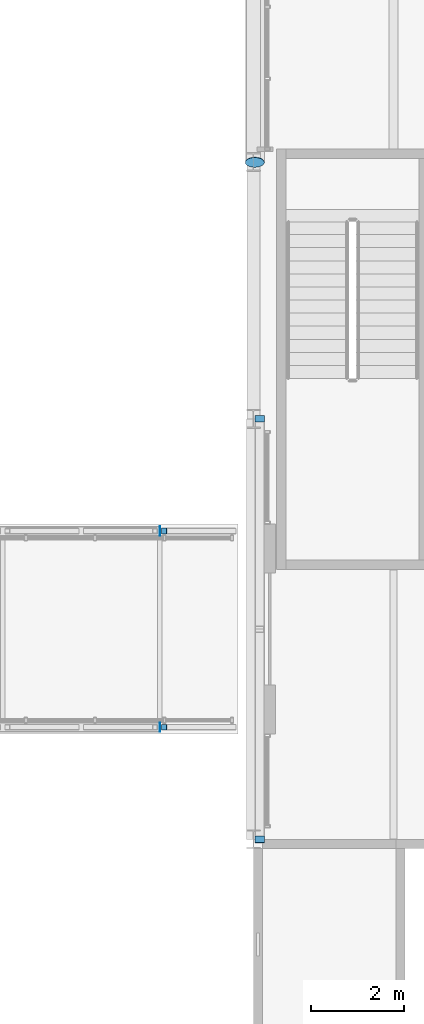
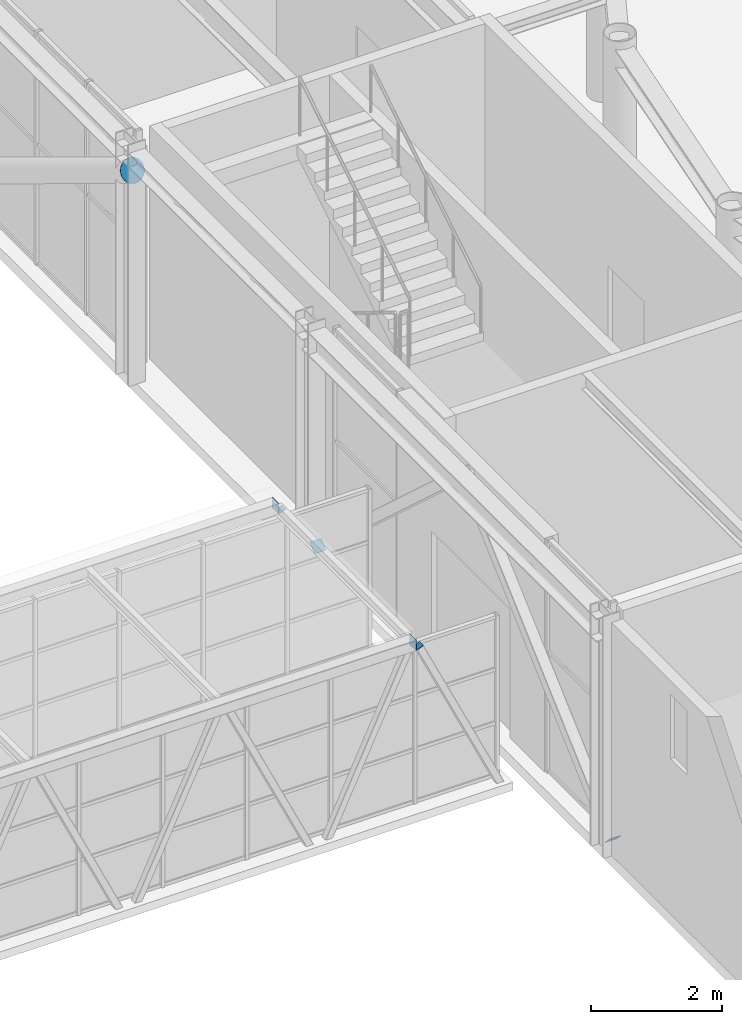
# One storey, part 117 of 149: 7 discrete accessories.
"""IFC4 building model written with IfcOpenShell, lengths in metres."""

from ifc_helpers import new_model, si_unit, direction, frame, origin, origin_2d, place, context, subcontext, project, spatial, rectangle, circle, extrude, material, material_profile, profile_set, type_object, element, save


model = new_model("IFC4")

# Units and contexts
model_context = context("Model", 3, precision=1e-05, world=origin(), true_north=direction((0.0, 1.0)))
body_context = subcontext(model_context, "Body", "Model", "MODEL_VIEW")
ifc_project = project(units=[si_unit("LENGTHUNIT", "METRE"), si_unit("AREAUNIT", "SQUARE_METRE"), si_unit("VOLUMEUNIT", "CUBIC_METRE"), si_unit("PLANEANGLEUNIT", "RADIAN"), si_unit("MASSUNIT", "GRAM", prefix="KILO")], contexts=[model_context])

# Site, building, storey
site_placement = place(None, origin())
site = spatial("IfcSite", under=ifc_project, at=site_placement, CompositionType="ELEMENT")
building_placement = place(site_placement, origin())
building = spatial("IfcBuilding", under=site, at=building_placement, Name="Kallimachos Central Library", CompositionType="ELEMENT")
storey_placement = place(building_placement, frame((0.0, 0.0, 9.89990234375)))
storey = spatial("IfcBuildingStorey", under=building, at=storey_placement, Name="L02", CompositionType="ELEMENT", Elevation=9.89990234375)

# Discrete accessories
ifc_material_1 = material(Name="Steel S355J2", Category="steel")
ifc_material_profile_1 = material_profile(ifc_material_1, rectangle(XDim=0.1201171875, YDim=0.1201171875, at=origin_2d()), Name="End cap plate 10, 120x120")
ifc_profile_set_1 = profile_set([ifc_material_profile_1], Name="Steel S355J2")
discrete_accessory_type_1 = type_object("IfcDiscreteAccessoryType", Name="End cap plate 10, 120x120", PredefinedType="BRACKET", material=ifc_profile_set_1)
for number, where, z_axis, x_axis, name in (
    (1, (63.591064453125, 98.39990234375, 3.009033203125), (0.417500171551, 0.0, -0.908676843963), (0.0, 1.0, 0.0), "End cap plate"),
    (2, (63.591064453125, 102.60009765625, 3.009033203125), (0.417500171551, 0.0, -0.908676843963), (0.0, 1.0, 0.0), "End cap plate"),
):
    element("IfcDiscreteAccessory", number, at=place(storey_placement, frame(where, z_axis=z_axis, x_axis=x_axis)), inside=storey, type_object=discrete_accessory_type_1, Name=name, PredefinedType="BRACKET", context=body_context, shape_type="SweptSolid", body=[
        extrude(rectangle(XDim=0.1201171875, YDim=0.1201171875, at=origin_2d()), origin(), (0.0, 0.0, 1.0), 0.010009765625),
    ])
ifc_material_2 = material(Name="Steel S355J2", Category="steel")
ifc_material_profile_2 = material_profile(ifc_material_2, rectangle(XDim=0.199951171875, YDim=0.199951171875, at=origin_2d()), Name="End cap plate 10, 200x200")
ifc_profile_set_2 = profile_set([ifc_material_profile_2], Name="Steel S355J2")
discrete_accessory_type_2 = type_object("IfcDiscreteAccessoryType", Name="End cap plate 10, 200x200", PredefinedType="BRACKET", material=ifc_profile_set_2)
for number, where, z_axis, x_axis, name in (
    (3, (65.635009765625, 95.99267578125, 0.143310546875), (0.0, 0.731055268243, 0.68231825036), (-1.0, 0.0, 0.0), "End cap plate"),
    (4, (65.635009765625, 105.00732421875, 0.143310546875), (0.0, -0.731055268243, 0.68231825036), (1.0, 0.0, 0.0), "End cap plate"),
    (5, (63.495361328125, 98.39990234375, 3.10009765625), (1.0, 0.0, 0.0), (0.0, 1.0, 0.0), "End cap plate"),
    (6, (63.495361328125, 102.60009765625, 3.10009765625), (1.0, 0.0, 0.0), (0.0, 1.0, 0.0), "End cap plate"),
):
    element("IfcDiscreteAccessory", number, at=place(storey_placement, frame(where, z_axis=z_axis, x_axis=x_axis)), inside=storey, type_object=discrete_accessory_type_2, Name=name, PredefinedType="BRACKET", context=body_context, shape_type="SweptSolid", body=[
        extrude(rectangle(XDim=0.199951171875, YDim=0.199951171875, at=origin_2d()), origin(), (0.0, 0.0, 1.0), 0.010009765625),
    ])
ifc_material_3 = material(Name="Steel S355J2", Category="steel")
ifc_material_profile_3 = material_profile(ifc_material_3, circle(Radius=0.203125, at=origin_2d()), Name="End cap plate 10, round 406.4")
ifc_profile_set_3 = profile_set([ifc_material_profile_3], Name="Steel S355J2")
discrete_accessory_type_3 = type_object("IfcDiscreteAccessoryType", Name="End cap plate 10, round 406.4", PredefinedType="BRACKET", material=ifc_profile_set_3)
discrete_accessory_placement = place(storey_placement, frame((65.53173828125, 110.491455078125, 3.855224609375), z_axis=(0.0, 0.857492925713, -0.514495755428), x_axis=(-1.0, 0.0, 0.0)))
element("IfcDiscreteAccessory", 7, at=discrete_accessory_placement, inside=storey, type_object=discrete_accessory_type_3, Name="End cap plate", PredefinedType="BRACKET", context=body_context, shape_type="SweptSolid", body=[
    extrude(circle(Radius=0.203125, at=origin_2d()), origin(), (0.0, 0.0, 1.0), 0.010009765625),
])

save(model, "model.ifc")
